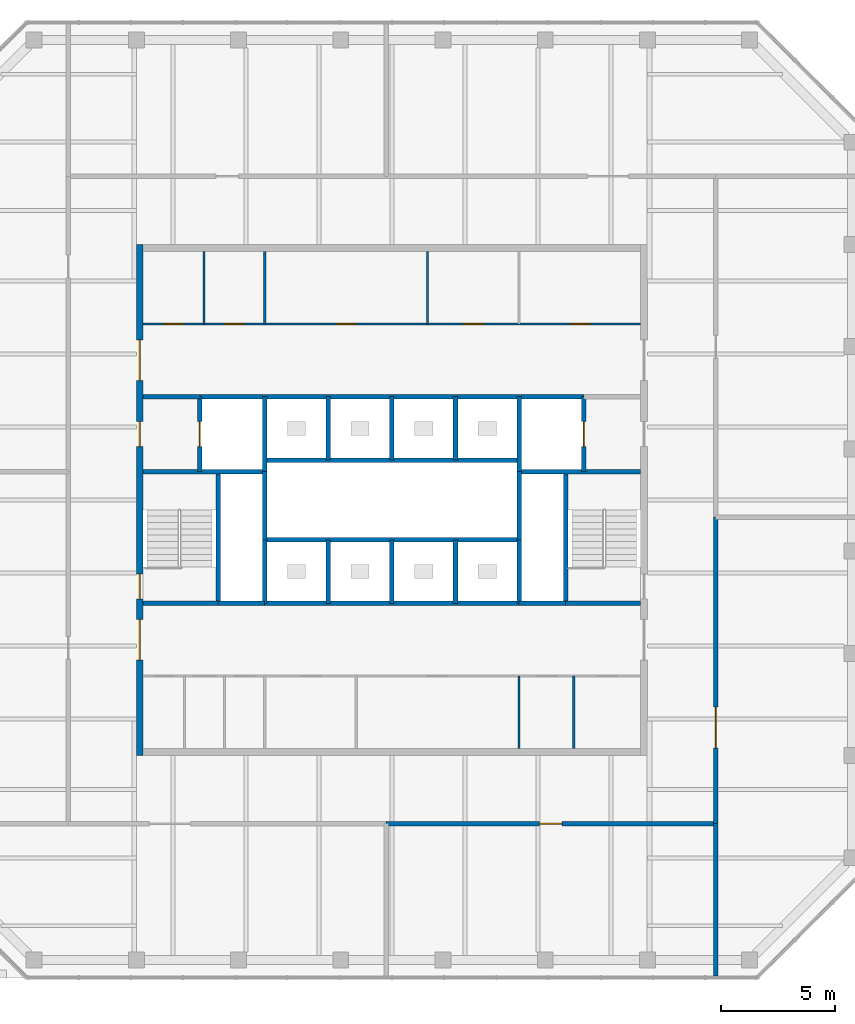
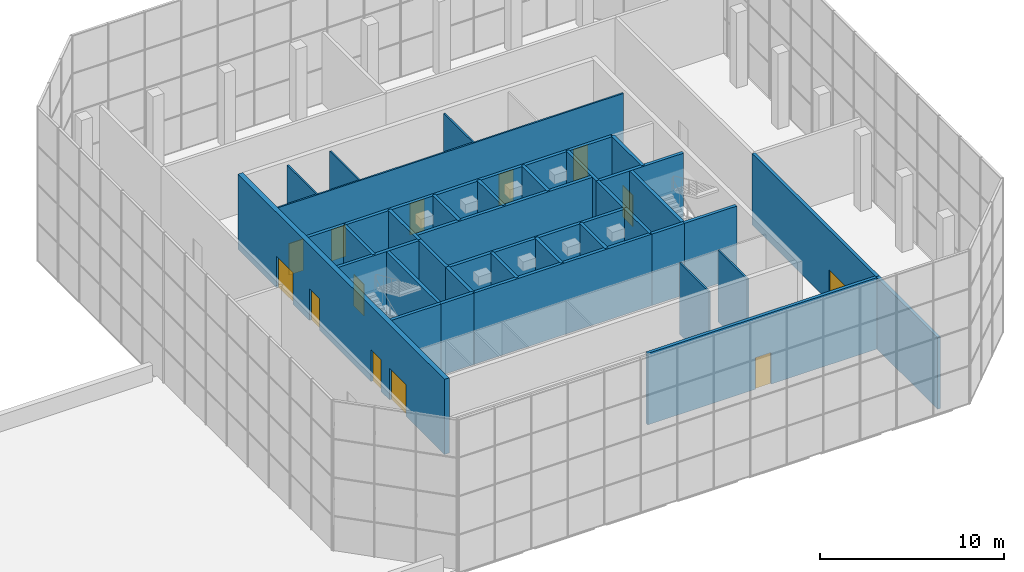
# One storey, part 17 of 19: 37 walls, 13 doors, 13 openings.
"""IFC4 building model written with IfcOpenShell, lengths in metres."""

from ifc_helpers import new_model, si_unit, direction, frame, frame_2d, origin, place, context, subcontext, project, spatial, rectangle, extrude, material, layer, layer_set, type_object, element, fill, save


model = new_model("IFC4")

# Units and contexts
model_context = context("Model", 3, precision=1e-05, world=origin(), true_north=direction((0.0, 1.0)))
body_context = subcontext(model_context, "Body", "Model", "MODEL_VIEW")
ifc_project = project(units=[si_unit("LENGTHUNIT", "METRE"), si_unit("AREAUNIT", "SQUARE_METRE"), si_unit("VOLUMEUNIT", "CUBIC_METRE"), si_unit("PLANEANGLEUNIT", "RADIAN"), si_unit("MASSUNIT", "GRAM", prefix="KILO")], contexts=[model_context])

# Site, building, storey
site_placement = place(None, origin())
site = spatial("IfcSite", under=ifc_project, at=site_placement, CompositionType="ELEMENT")
building_placement = place(site_placement, origin())
building = spatial("IfcBuilding", under=site, at=building_placement, Name="Quoin Convention Tower", CompositionType="ELEMENT")
storey_placement = place(building_placement, frame((0.0, 0.0, 263.699951171875)))
storey = spatial("IfcBuildingStorey", under=building, at=storey_placement, Name="L69", CompositionType="ELEMENT", Elevation=263.699951171875)

# Wall, openings, doors
ifc_material_1 = material(Name="Plasterboard")
ifc_layer_1 = layer(ifc_material_1, 0.012451171875, Name="Finish")
ifc_material_2 = material(Name="Steel stud framing", Category="steel")
ifc_layer_2 = layer(ifc_material_2, 0.074951171875, Name="Structure")
ifc_layer_3 = layer(ifc_material_1, 0.012451171875, Name="Finish")
ifc_layer_set_1 = layer_set([ifc_layer_1, ifc_layer_2, ifc_layer_3], Name="Steel stud framing")
wall_type_1 = type_object("IfcWallType", Name="Core partition wall", PredefinedType="PARTITIONING", material=ifc_layer_set_1)
wall_1_placement = place(storey_placement, frame((45.300048828125, 68.5, 0.0), z_axis=(0.0, 0.0, 1.0), x_axis=(1.0, 0.0, 0.0)))
wall_1 = element("IfcWall", 1, at=wall_1_placement, inside=storey, type_object=wall_type_1, Name="cr-C1-L69-h19000_300", PredefinedType="PARTITIONING", context=body_context, shape_type="SweptSolid", body=[
    extrude(rectangle(XDim=21.89990234375, YDim=0.10009765625, at=frame_2d((10.949951171875, 0.0))), origin(), (0.0, 0.0, 1.0), 4.75),
])
opening_1_placement = place(wall_1_placement, frame((18.77490234375, 0.0, 0.0)))
opening_1 = element("IfcOpeningElement", 2, at=opening_1_placement, cuts=wall_1, Name="Opening DCV5-07", PredefinedType="OPENING", context=body_context, shape_type="SweptSolid", body=[
    extrude(rectangle(XDim=0.89990234375, YDim=2.10009765625, at=frame_2d((0.449951171875, 1.050048828125))), frame((0.0, 0.06005859375, 0.0), z_axis=(0.0, -1.0, 0.0), x_axis=(1.0, 0.0, 0.0)), (0.0, 0.0, 1.0), 0.1201171875),
])
opening_2_placement = place(wall_1_placement, frame((0.887451171875, 0.0, 0.0)))
opening_2 = element("IfcOpeningElement", 3, at=opening_2_placement, cuts=wall_1, Name="Opening DCV5-03", PredefinedType="OPENING", context=body_context, shape_type="SweptSolid", body=[
    extrude(rectangle(XDim=0.89990234375, YDim=2.10009765625, at=frame_2d((0.449951171875, 1.050048828125))), frame((0.0, 0.06005859375, 0.0), z_axis=(0.0, -1.0, 0.0), x_axis=(1.0, 0.0, 0.0)), (0.0, 0.0, 1.0), 0.1201171875),
])
opening_3_placement = place(wall_1_placement, frame((3.5625, 0.0, 0.0)))
opening_3 = element("IfcOpeningElement", 4, at=opening_3_placement, cuts=wall_1, Name="Opening DCV5-04", PredefinedType="OPENING", context=body_context, shape_type="SweptSolid", body=[
    extrude(rectangle(XDim=0.89990234375, YDim=2.10009765625, at=frame_2d((0.449951171875, 1.050048828125))), frame((0.0, 0.06005859375, 0.0), z_axis=(0.0, -1.0, 0.0), x_axis=(1.0, 0.0, 0.0)), (0.0, 0.0, 1.0), 0.1201171875),
])
opening_4_placement = place(wall_1_placement, frame((14.083984375, 0.0, 0.0)))
opening_4 = element("IfcOpeningElement", 5, at=opening_4_placement, cuts=wall_1, Name="Opening DCV5-06", PredefinedType="OPENING", context=body_context, shape_type="SweptSolid", body=[
    extrude(rectangle(XDim=0.89990234375, YDim=2.10009765625, at=frame_2d((0.449951171875, 1.050048828125))), frame((0.0, 0.06005859375, 0.0), z_axis=(0.0, -1.0, 0.0), x_axis=(1.0, 0.0, 0.0)), (0.0, 0.0, 1.0), 0.1201171875),
])
opening_5_placement = place(wall_1_placement, frame((8.48388671875, 0.0, 0.0)))
opening_5 = element("IfcOpeningElement", 6, at=opening_5_placement, cuts=wall_1, Name="Opening DCV5-05", PredefinedType="OPENING", context=body_context, shape_type="SweptSolid", body=[
    extrude(rectangle(XDim=0.89990234375, YDim=2.10009765625, at=frame_2d((0.449951171875, 1.050048828125))), frame((0.0, 0.06005859375, 0.0), z_axis=(0.0, -1.0, 0.0), x_axis=(1.0, 0.0, 0.0)), (0.0, 0.0, 1.0), 0.1201171875),
])
ifc_material_3 = material(Name="Steel door leaf", Category="steel")
door_type_1 = type_object("IfcDoorType", Name="Core room door 900 x 2100", OperationType="SINGLE_SWING_LEFT", PredefinedType="DOOR", material=ifc_material_3)
door_1_placement = place(opening_1_placement, origin())
door_1 = element("IfcDoor", 7, at=door_1_placement, inside=storey, type_object=door_type_1, Name="cd-C1-L69-CNE0-lobB-CD6907", OperationType="SINGLE_SWING_LEFT", OverallHeight=2.10009765625, OverallWidth=0.89990234375, PredefinedType="DOOR", context=body_context, shape_type="SweptSolid", body=[
    extrude(rectangle(XDim=0.89990234375, YDim=2.10009765625, at=frame_2d((0.449951171875, 1.050048828125))), frame((0.0, 0.02490234375, 0.0), z_axis=(0.0, -1.0, 0.0), x_axis=(1.0, 0.0, 0.0)), (0.0, 0.0, 1.0), 0.050048828125),
])
fill(opening_1, door_1)
door_2_placement = place(opening_2_placement, origin())
door_2 = element("IfcDoor", 8, at=door_2_placement, inside=storey, type_object=door_type_1, Name="cd-C1-L69-CNW0-lobB-CD6908", OperationType="SINGLE_SWING_RIGHT", OverallHeight=2.10009765625, OverallWidth=0.89990234375, PredefinedType="DOOR", context=body_context, shape_type="SweptSolid", body=[
    extrude(rectangle(XDim=0.89990234375, YDim=2.10009765625, at=frame_2d((0.449951171875, 1.050048828125))), frame((0.0, 0.02490234375, 0.0), z_axis=(0.0, -1.0, 0.0), x_axis=(1.0, 0.0, 0.0)), (0.0, 0.0, 1.0), 0.050048828125),
])
fill(opening_2, door_2)
door_3_placement = place(opening_3_placement, origin())
door_3 = element("IfcDoor", 9, at=door_3_placement, inside=storey, type_object=door_type_1, Name="cd-C1-L69-CNW1-lobB-CD6909", OperationType="SINGLE_SWING_RIGHT", OverallHeight=2.10009765625, OverallWidth=0.89990234375, PredefinedType="DOOR", context=body_context, shape_type="SweptSolid", body=[
    extrude(rectangle(XDim=0.89990234375, YDim=2.10009765625, at=frame_2d((0.449951171875, 1.050048828125))), frame((0.0, 0.02490234375, 0.0), z_axis=(0.0, -1.0, 0.0), x_axis=(1.0, 0.0, 0.0)), (0.0, 0.0, 1.0), 0.050048828125),
])
fill(opening_3, door_3)
door_4_placement = place(opening_4_placement, origin())
door_4 = element("IfcDoor", 10, at=door_4_placement, inside=storey, type_object=door_type_1, Name="cd-C1-L69-F40-lobB-CD6917", OperationType="SINGLE_SWING_RIGHT", OverallHeight=2.10009765625, OverallWidth=0.89990234375, PredefinedType="DOOR", context=body_context, shape_type="SweptSolid", body=[
    extrude(rectangle(XDim=0.89990234375, YDim=2.10009765625, at=frame_2d((0.449951171875, 1.050048828125))), frame((0.0, 0.02490234375, 0.0), z_axis=(0.0, -1.0, 0.0), x_axis=(1.0, 0.0, 0.0)), (0.0, 0.0, 1.0), 0.050048828125),
])
fill(opening_4, door_4)
door_5_placement = place(opening_5_placement, origin())
door_5 = element("IfcDoor", 11, at=door_5_placement, inside=storey, type_object=door_type_1, Name="cd-C1-L69-F41-lobB-CD6918", OperationType="SINGLE_SWING_RIGHT", OverallHeight=2.10009765625, OverallWidth=0.89990234375, PredefinedType="DOOR", context=body_context, shape_type="SweptSolid", body=[
    extrude(rectangle(XDim=0.89990234375, YDim=2.10009765625, at=frame_2d((0.449951171875, 1.050048828125))), frame((0.0, 0.02490234375, 0.0), z_axis=(0.0, -1.0, 0.0), x_axis=(1.0, 0.0, 0.0)), (0.0, 0.0, 1.0), 0.050048828125),
])
fill(opening_5, door_5)

# Walls
for number, where, z_axis, x_axis, name in (
    (12, (47.97509765625, 68.5, 0.0), (0.0, 0.0, 1.0), (0.0, 1.0, 0.0), "cr-C1-L69-v2975_19000"),
    (13, (50.64990234375, 68.5, 0.0), (0.0, 0.0, 1.0), (0.0, 1.0, 0.0), "cr-C1-L69-v5650_19000"),
    (14, (57.818115234375, 68.5, 0.0), (0.0, 0.0, 1.0), (0.0, 1.0, 0.0), "cr-C1-L69-v12818_19000"),
    (15, (61.85009765625, 49.800048828125, 0.0), (0.0, 0.0, 1.0), (0.0, 1.0, 0.0), "cr-C1-L69-v16850_300"),
    (16, (64.257568359375, 49.800048828125, 0.0), (0.0, 0.0, 1.0), (0.0, 1.0, 0.0), "cr-C1-L69-v19258_300"),
):
    element("IfcWall", number, at=place(storey_placement, frame(where, z_axis=z_axis, x_axis=x_axis)), inside=storey, type_object=wall_type_1, Name=name, PredefinedType="PARTITIONING", context=body_context, shape_type="SweptSolid", body=[
        extrude(rectangle(XDim=3.199951171875, YDim=0.10009765625, at=frame_2d((1.60009765625, 0.0))), origin(), (0.0, 0.0, 1.0), 4.75),
    ])
ifc_material_4 = material(Name="Concrete C50", Category="concrete")
ifc_layer_4 = layer(ifc_material_4, 0.199951171875)
ifc_layer_set_2 = layer_set([ifc_layer_4], Name="Concrete C50")
wall_type_2 = type_object("IfcWallType", Name="Core shaft wall", PredefinedType="SOLIDWALL", material=ifc_layer_set_2)
for number, where, z_axis, x_axis, name in (
    (17, (48.60009765625, 56.199951171875, 0.0), (0.0, 0.0, 1.0), (1.0, 0.0, 0.0), "cr-C1-L69-h6700_3600"),
    (18, (61.85009765625, 56.199951171875, 0.0), (0.0, 0.0, 1.0), (1.0, 0.0, 0.0), "cr-C1-L69-h6700_16850"),
):
    element("IfcWall", number, at=place(storey_placement, frame(where, z_axis=z_axis, x_axis=x_axis)), inside=storey, type_object=wall_type_2, Name=name, PredefinedType="SOLIDWALL", context=body_context, shape_type="SweptSolid", body=[
        extrude(rectangle(XDim=2.0498046875, YDim=0.199951171875, at=frame_2d((1.02490234375, 0.0))), origin(), (0.0, 0.0, 1.0), 4.75),
    ])
wall_2_placement = place(storey_placement, frame((45.300048828125, 56.199951171875, 0.0), z_axis=(0.0, 0.0, 1.0), x_axis=(1.0, 0.0, 0.0)))
element("IfcWall", 19, at=wall_2_placement, inside=storey, type_object=wall_type_2, Name="cr-C1-L69-h6700_300", PredefinedType="SOLIDWALL", context=body_context, shape_type="SweptSolid", body=[
    extrude(rectangle(XDim=3.300048828125, YDim=0.199951171875, at=frame_2d((1.64990234375, 0.0))), origin(), (0.0, 0.0, 1.0), 4.75),
])
wall_3_placement = place(storey_placement, frame((50.64990234375, 56.199951171875, 0.0), z_axis=(0.0, 0.0, 1.0), x_axis=(1.0, 0.0, 0.0)))
element("IfcWall", 20, at=wall_3_placement, inside=storey, type_object=wall_type_2, Name="cr-C1-L69-h6700_5650", PredefinedType="SOLIDWALL", context=body_context, shape_type="SweptSolid", body=[
    extrude(rectangle(XDim=11.2001953125, YDim=0.199951171875, at=frame_2d((5.60009765625, 0.0))), origin(), (0.0, 0.0, 1.0), 4.75),
])
wall_4_placement = place(storey_placement, frame((63.89990234375, 56.199951171875, 0.0), z_axis=(0.0, 0.0, 1.0), x_axis=(1.0, 0.0, 0.0)))
element("IfcWall", 21, at=wall_4_placement, inside=storey, type_object=wall_type_2, Name="cr-C1-L69-h6700_18900", PredefinedType="SOLIDWALL", context=body_context, shape_type="SweptSolid", body=[
    extrude(rectangle(XDim=3.300048828125, YDim=0.199951171875, at=frame_2d((1.64990234375, 0.0))), origin(), (0.0, 0.0, 1.0), 4.75),
])
wall_5_placement = place(storey_placement, frame((50.64990234375, 59.0, 0.0), z_axis=(0.0, 0.0, 1.0), x_axis=(1.0, 0.0, 0.0)))
element("IfcWall", 22, at=wall_5_placement, inside=storey, type_object=wall_type_2, Name="cr-C1-L69-h9500_5650", PredefinedType="SOLIDWALL", context=body_context, shape_type="SweptSolid", body=[
    extrude(rectangle(XDim=11.2001953125, YDim=0.199951171875, at=frame_2d((5.60009765625, 0.0))), origin(), (0.0, 0.0, 1.0), 4.75),
])
for number, where, z_axis, x_axis, name in (
    (23, (45.300048828125, 62.0, 0.0), (0.0, 0.0, 1.0), (1.0, 0.0, 0.0), "cr-C1-L69-h12500_300"),
    (24, (61.85009765625, 62.0, 0.0), (0.0, 0.0, 1.0), (1.0, 0.0, 0.0), "cr-C1-L69-h12500_16850"),
):
    element("IfcWall", number, at=place(storey_placement, frame(where, z_axis=z_axis, x_axis=x_axis)), inside=storey, type_object=wall_type_2, Name=name, PredefinedType="SOLIDWALL", context=body_context, shape_type="SweptSolid", body=[
        extrude(rectangle(XDim=5.349853515625, YDim=0.199951171875, at=frame_2d((2.6748046875, 0.0))), origin(), (0.0, 0.0, 1.0), 4.75),
    ])
wall_6_placement = place(storey_placement, frame((50.64990234375, 62.5, 0.0), z_axis=(0.0, 0.0, 1.0), x_axis=(1.0, 0.0, 0.0)))
element("IfcWall", 25, at=wall_6_placement, inside=storey, type_object=wall_type_2, Name="cr-C1-L69-h13000_5650", PredefinedType="SOLIDWALL", context=body_context, shape_type="SweptSolid", body=[
    extrude(rectangle(XDim=11.2001953125, YDim=0.199951171875, at=frame_2d((5.60009765625, 0.0))), origin(), (0.0, 0.0, 1.0), 4.75),
])
wall_7_placement = place(storey_placement, frame((45.300048828125, 65.300048828125, 0.0), z_axis=(0.0, 0.0, 1.0), x_axis=(1.0, 0.0, 0.0)))
element("IfcWall", 26, at=wall_7_placement, inside=storey, type_object=wall_type_2, Name="cr-C1-L69-h15800_300", PredefinedType="SOLIDWALL", context=body_context, shape_type="SweptSolid", body=[
    extrude(rectangle(XDim=2.5, YDim=0.199951171875, at=frame_2d((1.25, 0.0))), origin(), (0.0, 0.0, 1.0), 4.75),
])
wall_8_placement = place(storey_placement, frame((47.800048828125, 65.300048828125, 0.0), z_axis=(0.0, 0.0, 1.0), x_axis=(1.0, 0.0, 0.0)))
element("IfcWall", 27, at=wall_8_placement, inside=storey, type_object=wall_type_2, Name="cr-C1-L69-h15800_2800", PredefinedType="SOLIDWALL", context=body_context, shape_type="SweptSolid", body=[
    extrude(rectangle(XDim=16.89990234375, YDim=0.199951171875, at=frame_2d((8.449951171875, 0.0))), origin(), (0.0, 0.0, 1.0), 4.75),
])

# Wall, opening, door
wall_9_placement = place(storey_placement, frame((47.800048828125, 62.0, 0.0), z_axis=(0.0, 0.0, 1.0), x_axis=(0.0, 1.0, 0.0)))
wall_9 = element("IfcWall", 28, at=wall_9_placement, inside=storey, type_object=wall_type_2, Name="cr-C1-L69-v2800_12500", PredefinedType="SOLIDWALL", context=body_context, shape_type="SweptSolid", body=[
    extrude(rectangle(XDim=3.300048828125, YDim=0.199951171875, at=frame_2d((1.64990234375, 0.0))), origin(), (0.0, 0.0, 1.0), 4.75),
])
opening_6_placement = place(wall_9_placement, frame((1.10009765625, 0.0, 0.0)))
opening_6 = element("IfcOpeningElement", 29, at=opening_6_placement, cuts=wall_9, Name="Opening LDFL1", PredefinedType="OPENING", context=body_context, shape_type="SweptSolid", body=[
    extrude(rectangle(XDim=1.10009765625, YDim=2.10009765625, at=frame_2d((0.550048828125, 1.050048828125))), frame((0.0, 0.10986328125, 0.0), z_axis=(0.0, -1.0, 0.0), x_axis=(1.0, 0.0, 0.0)), (0.0, 0.0, 1.0), 0.219970703125),
])
door_type_2 = type_object("IfcDoorType", Name="Lift landing door 1100 x 2100", OperationType="DOUBLE_DOOR_SLIDING", PredefinedType="DOOR", material=ifc_material_3)
door_6_placement = place(opening_6_placement, origin())
door_6 = element("IfcDoor", 30, at=door_6_placement, inside=storey, type_object=door_type_2, Name="cd-C1-L69-FLW-FFW-LDFL1", OperationType="DOUBLE_DOOR_SLIDING", OverallHeight=2.10009765625, OverallWidth=1.10009765625, PredefinedType="DOOR", context=body_context, shape_type="SweptSolid", body=[
    extrude(rectangle(XDim=1.10009765625, YDim=2.10009765625, at=frame_2d((0.550048828125, 1.050048828125))), frame((0.0, 0.02490234375, 0.0), z_axis=(0.0, -1.0, 0.0), x_axis=(1.0, 0.0, 0.0)), (0.0, 0.0, 1.0), 0.050048828125),
])
fill(opening_6, door_6)

# Walls
wall_10_placement = place(storey_placement, frame((48.60009765625, 56.199951171875, 0.0), z_axis=(0.0, 0.0, 1.0), x_axis=(0.0, 1.0, 0.0)))
element("IfcWall", 31, at=wall_10_placement, inside=storey, type_object=wall_type_2, Name="cr-C1-L69-v3600_6700", PredefinedType="SOLIDWALL", context=body_context, shape_type="SweptSolid", body=[
    extrude(rectangle(XDim=5.800048828125, YDim=0.199951171875, at=frame_2d((2.89990234375, 0.0))), origin(), (0.0, 0.0, 1.0), 4.75),
])
wall_11_placement = place(storey_placement, frame((50.64990234375, 59.0, 0.0), z_axis=(0.0, 0.0, 1.0), x_axis=(0.0, 1.0, 0.0)))
element("IfcWall", 32, at=wall_11_placement, inside=storey, type_object=wall_type_2, Name="cr-C1-L69-v5650_9500", PredefinedType="SOLIDWALL", context=body_context, shape_type="SweptSolid", body=[
    extrude(rectangle(XDim=3.0, YDim=0.199951171875, at=frame_2d((1.5, 0.0))), origin(), (0.0, 0.0, 1.0), 4.75),
])
wall_12_placement = place(storey_placement, frame((50.64990234375, 56.199951171875, 0.0), z_axis=(0.0, 0.0, 1.0), x_axis=(0.0, 1.0, 0.0)))
element("IfcWall", 33, at=wall_12_placement, inside=storey, type_object=wall_type_2, Name="cr-C1-L69-v5650_6700", PredefinedType="SOLIDWALL", context=body_context, shape_type="SweptSolid", body=[
    extrude(rectangle(XDim=2.800048828125, YDim=0.199951171875, at=frame_2d((1.39990234375, 0.0))), origin(), (0.0, 0.0, 1.0), 4.75),
])
wall_13_placement = place(storey_placement, frame((50.64990234375, 62.0, 0.0), z_axis=(0.0, 0.0, 1.0), x_axis=(0.0, 1.0, 0.0)))
element("IfcWall", 34, at=wall_13_placement, inside=storey, type_object=wall_type_2, Name="cr-C1-L69-v5650_12500", PredefinedType="SOLIDWALL", context=body_context, shape_type="SweptSolid", body=[
    extrude(rectangle(XDim=3.300048828125, YDim=0.199951171875, at=frame_2d((1.64990234375, 0.0))), origin(), (0.0, 0.0, 1.0), 4.75),
])
for number, where, z_axis, x_axis, name in (
    (35, (53.449951171875, 56.199951171875, 0.0), (0.0, 0.0, 1.0), (0.0, 1.0, 0.0), "cr-C1-L69-v8450_6700"),
    (36, (53.449951171875, 62.5, 0.0), (0.0, 0.0, 1.0), (0.0, 1.0, 0.0), "cr-C1-L69-v8450_13000"),
    (37, (56.25, 56.199951171875, 0.0), (0.0, 0.0, 1.0), (0.0, 1.0, 0.0), "cr-C1-L69-v11250_6700"),
    (38, (56.25, 62.5, 0.0), (0.0, 0.0, 1.0), (0.0, 1.0, 0.0), "cr-C1-L69-v11250_13000"),
    (39, (59.050048828125, 56.199951171875, 0.0), (0.0, 0.0, 1.0), (0.0, 1.0, 0.0), "cr-C1-L69-v14050_6700"),
    (40, (59.050048828125, 62.5, 0.0), (0.0, 0.0, 1.0), (0.0, 1.0, 0.0), "cr-C1-L69-v14050_13000"),
):
    element("IfcWall", number, at=place(storey_placement, frame(where, z_axis=z_axis, x_axis=x_axis)), inside=storey, type_object=wall_type_2, Name=name, PredefinedType="SOLIDWALL", context=body_context, shape_type="SweptSolid", body=[
        extrude(rectangle(XDim=2.800048828125, YDim=0.199951171875, at=frame_2d((1.39990234375, 0.0))), origin(), (0.0, 0.0, 1.0), 4.75),
    ])
wall_14_placement = place(storey_placement, frame((61.85009765625, 59.0, 0.0), z_axis=(0.0, 0.0, 1.0), x_axis=(0.0, 1.0, 0.0)))
element("IfcWall", 41, at=wall_14_placement, inside=storey, type_object=wall_type_2, Name="cr-C1-L69-v16850_9500", PredefinedType="SOLIDWALL", context=body_context, shape_type="SweptSolid", body=[
    extrude(rectangle(XDim=3.0, YDim=0.199951171875, at=frame_2d((1.5, 0.0))), origin(), (0.0, 0.0, 1.0), 4.75),
])
wall_15_placement = place(storey_placement, frame((61.85009765625, 56.199951171875, 0.0), z_axis=(0.0, 0.0, 1.0), x_axis=(0.0, 1.0, 0.0)))
element("IfcWall", 42, at=wall_15_placement, inside=storey, type_object=wall_type_2, Name="cr-C1-L69-v16850_6700", PredefinedType="SOLIDWALL", context=body_context, shape_type="SweptSolid", body=[
    extrude(rectangle(XDim=2.800048828125, YDim=0.199951171875, at=frame_2d((1.39990234375, 0.0))), origin(), (0.0, 0.0, 1.0), 4.75),
])
wall_16_placement = place(storey_placement, frame((61.85009765625, 62.0, 0.0), z_axis=(0.0, 0.0, 1.0), x_axis=(0.0, 1.0, 0.0)))
element("IfcWall", 43, at=wall_16_placement, inside=storey, type_object=wall_type_2, Name="cr-C1-L69-v16850_12500", PredefinedType="SOLIDWALL", context=body_context, shape_type="SweptSolid", body=[
    extrude(rectangle(XDim=3.300048828125, YDim=0.199951171875, at=frame_2d((1.64990234375, 0.0))), origin(), (0.0, 0.0, 1.0), 4.75),
])
wall_17_placement = place(storey_placement, frame((63.89990234375, 56.199951171875, 0.0), z_axis=(0.0, 0.0, 1.0), x_axis=(0.0, 1.0, 0.0)))
element("IfcWall", 44, at=wall_17_placement, inside=storey, type_object=wall_type_2, Name="cr-C1-L69-v18900_6700", PredefinedType="SOLIDWALL", context=body_context, shape_type="SweptSolid", body=[
    extrude(rectangle(XDim=5.800048828125, YDim=0.199951171875, at=frame_2d((2.89990234375, 0.0))), origin(), (0.0, 0.0, 1.0), 4.75),
])

# Wall, opening, door
wall_18_placement = place(storey_placement, frame((64.699951171875, 62.0, 0.0), z_axis=(0.0, 0.0, 1.0), x_axis=(0.0, 1.0, 0.0)))
wall_18 = element("IfcWall", 45, at=wall_18_placement, inside=storey, type_object=wall_type_2, Name="cr-C1-L69-v19700_12500", PredefinedType="SOLIDWALL", context=body_context, shape_type="SweptSolid", body=[
    extrude(rectangle(XDim=3.300048828125, YDim=0.199951171875, at=frame_2d((1.64990234375, 0.0))), origin(), (0.0, 0.0, 1.0), 4.75),
])
opening_7_placement = place(wall_18_placement, frame((1.10009765625, 0.0, 0.0)))
opening_7 = element("IfcOpeningElement", 46, at=opening_7_placement, cuts=wall_18, Name="Opening LDFL2", PredefinedType="OPENING", context=body_context, shape_type="SweptSolid", body=[
    extrude(rectangle(XDim=1.10009765625, YDim=2.10009765625, at=frame_2d((0.550048828125, 1.050048828125))), frame((0.0, 0.10986328125, 0.0), z_axis=(0.0, -1.0, 0.0), x_axis=(1.0, 0.0, 0.0)), (0.0, 0.0, 1.0), 0.219970703125),
])
door_7_placement = place(opening_7_placement, origin())
door_7 = element("IfcDoor", 47, at=door_7_placement, inside=storey, type_object=door_type_2, Name="cd-C1-L69-FLE-FFE-LDFL2", OperationType="DOUBLE_DOOR_SLIDING", OverallHeight=2.10009765625, OverallWidth=1.10009765625, PredefinedType="DOOR", context=body_context, shape_type="SweptSolid", body=[
    extrude(rectangle(XDim=1.10009765625, YDim=2.10009765625, at=frame_2d((0.550048828125, 1.050048828125))), frame((0.0, 0.02490234375, 0.0), z_axis=(0.0, -1.0, 0.0), x_axis=(1.0, 0.0, 0.0)), (0.0, 0.0, 1.0), 0.050048828125),
])
fill(opening_7, door_7)

# Wall
ifc_layer_5 = layer(ifc_material_1, 0.012451171875, Name="Finish")
ifc_layer_6 = layer(ifc_material_2, 0.175048828125, Name="Structure")
ifc_layer_7 = layer(ifc_material_1, 0.012451171875, Name="Finish")
ifc_layer_set_3 = layer_set([ifc_layer_5, ifc_layer_6, ifc_layer_7], Name="Steel stud framing")
wall_type_3 = type_object("IfcWallType", Name="Plant room wall 200", PredefinedType="PARTITIONING", material=ifc_layer_set_3)
wall_19_placement = place(storey_placement, frame((70.5, 39.800048828125, 0.0), z_axis=(0.0, 0.0, 1.0), x_axis=(0.0, 1.0, 0.0)))
element("IfcWall", 48, at=wall_19_placement, inside=storey, type_object=wall_type_3, Name="pw-L69-002", PredefinedType="PARTITIONING", context=body_context, shape_type="SweptSolid", body=[
    extrude(rectangle(XDim=6.699951171875, YDim=0.199951171875, at=frame_2d((3.35009765625, 0.0))), origin(), (0.0, 0.0, 1.0), 4.75),
])

# Wall, opening, door
wall_20_placement = place(storey_placement, frame((56.0, 46.5, 0.0), z_axis=(0.0, 0.0, 1.0), x_axis=(1.0, 0.0, 0.0)))
wall_20 = element("IfcWall", 49, at=wall_20_placement, inside=storey, type_object=wall_type_3, Name="pw-L69-006", PredefinedType="PARTITIONING", context=body_context, shape_type="SweptSolid", body=[
    extrude(rectangle(XDim=14.5, YDim=0.199951171875, at=frame_2d((7.25, 0.0))), origin(), (0.0, 0.0, 1.0), 4.75),
])
opening_8_placement = place(wall_20_placement, frame((6.75, 0.0, 0.0)))
opening_8 = element("IfcOpeningElement", 50, at=opening_8_placement, cuts=wall_20, Name="Opening DPDC1-03", PredefinedType="OPENING", context=body_context, shape_type="SweptSolid", body=[
    extrude(rectangle(XDim=1.0, YDim=2.10009765625, at=frame_2d((0.5, 1.050048828125))), frame((0.0, 0.10986328125, 0.0), z_axis=(0.0, -1.0, 0.0), x_axis=(1.0, 0.0, 0.0)), (0.0, 0.0, 1.0), 0.219970703125),
])
door_type_3 = type_object("IfcDoorType", Name="Plant door 1000", OperationType="SINGLE_SWING_RIGHT", PredefinedType="DOOR", material=ifc_material_3)
door_8_placement = place(opening_8_placement, frame((1.0, 0.0, 0.0), z_axis=(0.0, 0.0, 1.0), x_axis=(-1.0, 0.0, 0.0)))
door_8 = element("IfcDoor", 51, at=door_8_placement, inside=storey, type_object=door_type_3, Name="dr-L69-002", OperationType="SINGLE_SWING_LEFT", OverallHeight=2.10009765625, OverallWidth=1.0, PredefinedType="DOOR", context=body_context, shape_type="SweptSolid", body=[
    extrude(rectangle(XDim=1.0, YDim=2.10009765625, at=frame_2d((0.5, 1.050048828125))), frame((0.0, 0.02490234375, 0.0), z_axis=(0.0, -1.0, 0.0), x_axis=(1.0, 0.0, 0.0)), (0.0, 0.0, 1.0), 0.050048828125),
])
fill(opening_8, door_8)

wall_21_placement = place(storey_placement, frame((70.5, 46.5, 0.0), z_axis=(0.0, 0.0, 1.0), x_axis=(0.0, 1.0, 0.0)))
wall_21 = element("IfcWall", 52, at=wall_21_placement, inside=storey, type_object=wall_type_3, Name="pw-L69-007", PredefinedType="PARTITIONING", context=body_context, shape_type="SweptSolid", body=[
    extrude(rectangle(XDim=13.5, YDim=0.199951171875, at=frame_2d((6.75, 0.0))), origin(), (0.0, 0.0, 1.0), 4.75),
])
opening_9_placement = place(wall_21_placement, frame((3.326904296875, 0.0, 0.0)))
opening_9 = element("IfcOpeningElement", 53, at=opening_9_placement, cuts=wall_21, Name="Opening DPDC1-04", PredefinedType="OPENING", context=body_context, shape_type="SweptSolid", body=[
    extrude(rectangle(XDim=1.800048828125, YDim=2.10009765625, at=frame_2d((0.89990234375, 1.050048828125))), frame((0.0, 0.10986328125, 0.0), z_axis=(0.0, -1.0, 0.0), x_axis=(1.0, 0.0, 0.0)), (0.0, 0.0, 1.0), 0.219970703125),
])
door_type_4 = type_object("IfcDoorType", Name="Plant door pair 1800", OperationType="DOUBLE_DOOR_SINGLE_SWING", PredefinedType="DOOR", material=ifc_material_3)
door_9_placement = place(opening_9_placement, frame((1.800048828125, 0.0, 0.0), z_axis=(0.0, 0.0, 1.0), x_axis=(-1.0, 0.0, 0.0)))
door_9 = element("IfcDoor", 54, at=door_9_placement, inside=storey, type_object=door_type_4, Name="dr-L69-003", OperationType="DOUBLE_DOOR_SINGLE_SWING", OverallHeight=2.10009765625, OverallWidth=1.800048828125, PredefinedType="DOOR", context=body_context, shape_type="SweptSolid", body=[
    extrude(rectangle(XDim=1.800048828125, YDim=2.10009765625, at=frame_2d((0.89990234375, 1.050048828125))), frame((0.0, 0.02490234375, 0.0), z_axis=(0.0, -1.0, 0.0), x_axis=(1.0, 0.0, 0.0)), (0.0, 0.0, 1.0), 0.050048828125),
])
fill(opening_9, door_9)

# Wall, openings, doors
ifc_material_5 = material(Name="Concrete C40", Category="concrete")
ifc_layer_8 = layer(ifc_material_5, 0.300048828125)
ifc_layer_set_4 = layer_set([ifc_layer_8], Name="Concrete C40")
wall_type_4 = type_object("IfcWallType", Name="RC CORE WALL 300 C40", PredefinedType="SHEAR", material=ifc_layer_set_4)
wall_22_placement = place(storey_placement, frame((45.14990234375, 49.5, 0.0), z_axis=(0.0, 0.0, 1.0), x_axis=(0.0, 1.0, 0.0)))
wall_22 = element("IfcWall", 55, at=wall_22_placement, inside=storey, type_object=wall_type_4, Name="cwl-C1-L69-W", PredefinedType="SHEAR", context=body_context, shape_type="SweptSolid", body=[
    extrude(rectangle(XDim=22.5, YDim=0.300048828125, at=frame_2d((11.25, 0.0))), origin(), (0.0, 0.0, 1.0), 5.0),
])
opening_10_placement = place(wall_22_placement, frame((4.199951171875, 0.0, 0.0)))
opening_10 = element("IfcOpeningElement", 56, at=opening_10_placement, cuts=wall_22, Name="Opening DCV5-50", PredefinedType="OPENING", context=body_context, shape_type="SweptSolid", body=[
    extrude(rectangle(XDim=1.800048828125, YDim=2.10009765625, at=frame_2d((0.89990234375, 1.050048828125))), frame((0.0, 0.159912109375, 0.0), z_axis=(0.0, -1.0, 0.0), x_axis=(1.0, 0.0, 0.0)), (0.0, 0.0, 1.0), 0.320068359375),
])
opening_11_placement = place(wall_22_placement, frame((6.89990234375, 0.0, 0.0)))
opening_11 = element("IfcOpeningElement", 57, at=opening_11_placement, cuts=wall_22, Name="Opening SD1", PredefinedType="OPENING", context=body_context, shape_type="SweptSolid", body=[
    extrude(rectangle(XDim=1.10009765625, YDim=2.10009765625, at=frame_2d((0.550048828125, 1.050048828125))), frame((0.0, 0.159912109375, 0.0), z_axis=(0.0, -1.0, 0.0), x_axis=(1.0, 0.0, 0.0)), (0.0, 0.0, 1.0), 0.320068359375),
])
opening_12_placement = place(wall_22_placement, frame((13.60009765625, 0.0, 0.0)))
opening_12 = element("IfcOpeningElement", 58, at=opening_12_placement, cuts=wall_22, Name="Opening DCV5-49", PredefinedType="OPENING", context=body_context, shape_type="SweptSolid", body=[
    extrude(rectangle(XDim=1.10009765625, YDim=2.10009765625, at=frame_2d((0.550048828125, 1.050048828125))), frame((0.0, 0.159912109375, 0.0), z_axis=(0.0, -1.0, 0.0), x_axis=(1.0, 0.0, 0.0)), (0.0, 0.0, 1.0), 0.320068359375),
])
opening_13_placement = place(wall_22_placement, frame((16.5, 0.0, 0.0)))
opening_13 = element("IfcOpeningElement", 59, at=opening_13_placement, cuts=wall_22, Name="Opening DCV5-50", PredefinedType="OPENING", context=body_context, shape_type="SweptSolid", body=[
    extrude(rectangle(XDim=1.800048828125, YDim=2.10009765625, at=frame_2d((0.89990234375, 1.050048828125))), frame((0.0, 0.159912109375, 0.0), z_axis=(0.0, -1.0, 0.0), x_axis=(1.0, 0.0, 0.0)), (0.0, 0.0, 1.0), 0.320068359375),
])
door_type_5 = type_object("IfcDoorType", Name="Fire-fighting lobby door 1100 x 2100", OperationType="SINGLE_SWING_LEFT", PredefinedType="DOOR", material=ifc_material_3)
door_10_placement = place(opening_12_placement, frame((1.10009765625, 0.0, 0.0), z_axis=(0.0, 0.0, 1.0), x_axis=(-1.0, 0.0, 0.0)))
door_10 = element("IfcDoor", 60, at=door_10_placement, inside=storey, type_object=door_type_5, Name="cd-C1-L69-FFW-W", OperationType="SINGLE_SWING_LEFT", OverallHeight=2.10009765625, OverallWidth=1.10009765625, PredefinedType="DOOR", context=body_context, shape_type="SweptSolid", body=[
    extrude(rectangle(XDim=1.10009765625, YDim=2.10009765625, at=frame_2d((0.550048828125, 1.050048828125))), frame((0.0, 0.02490234375, 0.0), z_axis=(0.0, -1.0, 0.0), x_axis=(1.0, 0.0, 0.0)), (0.0, 0.0, 1.0), 0.050048828125),
])
fill(opening_12, door_10)
door_type_6 = type_object("IfcDoorType", Name="Lift lobby door 1800 x 2100", OperationType="SINGLE_SWING_LEFT", PredefinedType="DOOR", material=ifc_material_3)
door_11_placement = place(opening_10_placement, frame((1.800048828125, 0.0, 0.0), z_axis=(0.0, 0.0, 1.0), x_axis=(-1.0, 0.0, 0.0)))
door_11 = element("IfcDoor", 61, at=door_11_placement, inside=storey, type_object=door_type_6, Name="cd-C1-L69-lobA-W", OperationType="SINGLE_SWING_LEFT", OverallHeight=2.10009765625, OverallWidth=1.800048828125, PredefinedType="DOOR", context=body_context, shape_type="SweptSolid", body=[
    extrude(rectangle(XDim=1.800048828125, YDim=2.10009765625, at=frame_2d((0.89990234375, 1.050048828125))), frame((0.0, 0.02490234375, 0.0), z_axis=(0.0, -1.0, 0.0), x_axis=(1.0, 0.0, 0.0)), (0.0, 0.0, 1.0), 0.050048828125),
])
fill(opening_10, door_11)
door_12_placement = place(opening_13_placement, frame((1.800048828125, 0.0, 0.0), z_axis=(0.0, 0.0, 1.0), x_axis=(-1.0, 0.0, 0.0)))
door_12 = element("IfcDoor", 62, at=door_12_placement, inside=storey, type_object=door_type_6, Name="cd-C1-L69-lobB-W", OperationType="SINGLE_SWING_LEFT", OverallHeight=2.10009765625, OverallWidth=1.800048828125, PredefinedType="DOOR", context=body_context, shape_type="SweptSolid", body=[
    extrude(rectangle(XDim=1.800048828125, YDim=2.10009765625, at=frame_2d((0.89990234375, 1.050048828125))), frame((0.0, 0.02490234375, 0.0), z_axis=(0.0, -1.0, 0.0), x_axis=(1.0, 0.0, 0.0)), (0.0, 0.0, 1.0), 0.050048828125),
])
fill(opening_13, door_12)
door_type_7 = type_object("IfcDoorType", Name="Stair door 1100 x 2100", OperationType="SINGLE_SWING_RIGHT", PredefinedType="DOOR", material=ifc_material_3)
door_13_placement = place(opening_11_placement, frame((1.10009765625, 0.0, 0.0), z_axis=(0.0, 0.0, 1.0), x_axis=(-1.0, 0.0, 0.0)))
door_13 = element("IfcDoor", 63, at=door_13_placement, inside=storey, type_object=door_type_7, Name="cd-C1-L69-STW-W", OperationType="SINGLE_SWING_RIGHT", OverallHeight=2.10009765625, OverallWidth=1.10009765625, PredefinedType="DOOR", context=body_context, shape_type="SweptSolid", body=[
    extrude(rectangle(XDim=1.10009765625, YDim=2.10009765625, at=frame_2d((0.550048828125, 1.050048828125))), frame((0.0, 0.02490234375, 0.0), z_axis=(0.0, -1.0, 0.0), x_axis=(1.0, 0.0, 0.0)), (0.0, 0.0, 1.0), 0.050048828125),
])
fill(opening_11, door_13)

save(model, "model.ifc")
